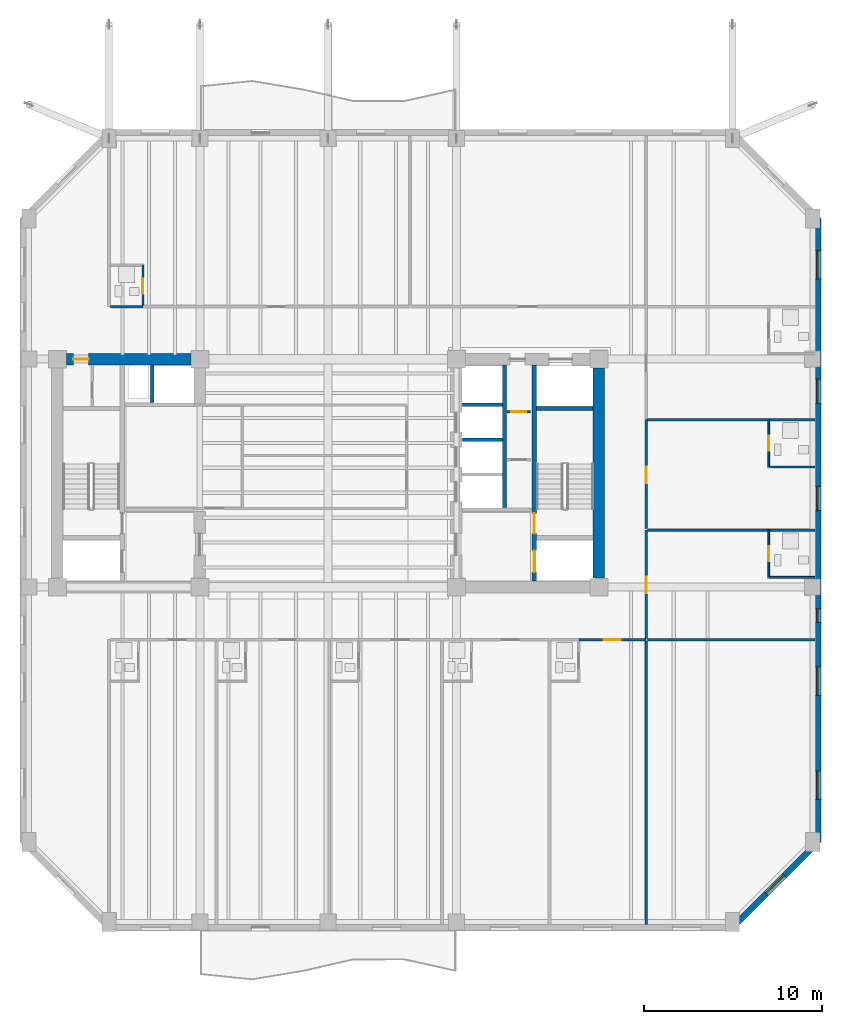
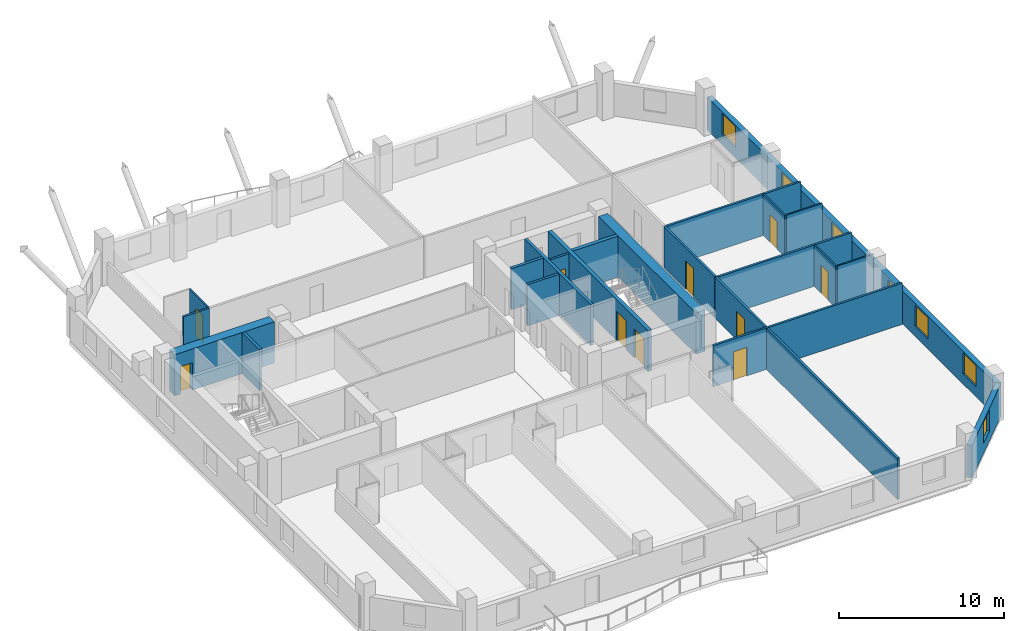
# One storey, part 7 of 12: 24 walls, 10 doors, 7 windows, 17 openings.
"""IFC4 building model written with IfcOpenShell, lengths in metres."""

from ifc_helpers import new_model, si_unit, direction, frame, frame_2d, origin, place, context, subcontext, project, spatial, rectangle, extrude, material, layer, layer_set, type_object, element, fill, save


model = new_model("IFC4")

# Units and contexts
model_context = context("Model", 3, precision=1e-05, world=origin(), true_north=direction((0.0, 1.0)))
body_context = subcontext(model_context, "Body", "Model", "MODEL_VIEW")
ifc_project = project(units=[si_unit("LENGTHUNIT", "METRE"), si_unit("AREAUNIT", "SQUARE_METRE"), si_unit("VOLUMEUNIT", "CUBIC_METRE"), si_unit("PLANEANGLEUNIT", "RADIAN"), si_unit("MASSUNIT", "GRAM", prefix="KILO")], contexts=[model_context])

# Site, building, storey
site_placement = place(None, origin())
site = spatial("IfcSite", under=ifc_project, at=site_placement, CompositionType="ELEMENT")
building_placement = place(site_placement, origin())
building = spatial("IfcBuilding", under=site, at=building_placement, Name="Kranthara Brick Stack", CompositionType="ELEMENT")
storey_placement = place(building_placement, frame((0.0, 0.0, 158.800048828125)))
storey = spatial("IfcBuildingStorey", under=building, at=storey_placement, Name="L40", CompositionType="ELEMENT", Elevation=158.800048828125)

# Wall, openings, windows
ifc_material_1 = material(Name="Kiln-fired clay brick masonry M15", Category="masonry")
ifc_layer_1 = layer(ifc_material_1, 0.35009765625)
ifc_layer_set_1 = layer_set([ifc_layer_1], Name="Kiln-fired clay brick masonry M15")
wall_type_1 = type_object("IfcWallType", Name="WL-BRK-SPND-350", PredefinedType="STANDARD", material=ifc_layer_set_1)
wall_1_placement = place(storey_placement, frame((55.5048828125, 41.5, 0.0), z_axis=(0.0, 0.0, 1.0), x_axis=(0.0, -1.0, 0.0)))
wall_1 = element("IfcWall", 1, at=wall_1_placement, inside=storey, type_object=wall_type_1, Name="L40 Exterior Brick Facade Wall EAST 1", PredefinedType="STANDARD", context=body_context, shape_type="SweptSolid", body=[
    extrude(rectangle(XDim=35.0, YDim=0.35009765625, at=frame_2d((17.5, 0.0))), origin(), (0.0, 0.0, 1.0), 2.43505859375),
])
opening_1_placement = place(wall_1_placement, frame((1.81298828125, 0.0, 0.75)))
opening_1 = element("IfcOpeningElement", 2, at=opening_1_placement, cuts=wall_1, Name="Opening WN04", PredefinedType="OPENING", context=body_context, shape_type="SweptSolid", body=[
    extrude(rectangle(XDim=1.60009765625, YDim=1.56494140625, at=frame_2d((0.800048828125, 0.782470703125))), frame((0.0, 0.18505859375, 0.0), z_axis=(0.0, -1.0, 0.0), x_axis=(1.0, 0.0, 0.0)), (0.0, 0.0, 1.0), 0.3701171875),
])
opening_2_placement = place(wall_1_placement, frame((9.02490234375, 0.0, 0.75)))
opening_2 = element("IfcOpeningElement", 3, at=opening_2_placement, cuts=wall_1, Name="Opening WN06", PredefinedType="OPENING", context=body_context, shape_type="SweptSolid", body=[
    extrude(rectangle(XDim=1.35009765625, YDim=1.56494140625, at=frame_2d((0.675048828125, 0.782470703125))), frame((0.0, 0.18505859375, 0.0), z_axis=(0.0, -1.0, 0.0), x_axis=(1.0, 0.0, 0.0)), (0.0, 0.0, 1.0), 0.3701171875),
])
opening_3_placement = place(wall_1_placement, frame((15.050048828125, 0.0, 0.75)))
opening_3 = element("IfcOpeningElement", 4, at=opening_3_placement, cuts=wall_1, Name="Opening WN06", PredefinedType="OPENING", context=body_context, shape_type="SweptSolid", body=[
    extrude(rectangle(XDim=1.35009765625, YDim=1.56494140625, at=frame_2d((0.675048828125, 0.782470703125))), frame((0.0, 0.18505859375, 0.0), z_axis=(0.0, -1.0, 0.0), x_axis=(1.0, 0.0, 0.0)), (0.0, 0.0, 1.0), 0.3701171875),
])
opening_4_placement = place(wall_1_placement, frame((25.175048828125, 0.0, 0.75)))
opening_4 = element("IfcOpeningElement", 5, at=opening_4_placement, cuts=wall_1, Name="Opening WN04", PredefinedType="OPENING", context=body_context, shape_type="SweptSolid", body=[
    extrude(rectangle(XDim=1.60009765625, YDim=1.56494140625, at=frame_2d((0.800048828125, 0.782470703125))), frame((0.0, 0.18505859375, 0.0), z_axis=(0.0, -1.0, 0.0), x_axis=(1.0, 0.0, 0.0)), (0.0, 0.0, 1.0), 0.3701171875),
])
opening_5_placement = place(wall_1_placement, frame((31.011962890625, 0.0, 0.75)))
opening_5 = element("IfcOpeningElement", 6, at=opening_5_placement, cuts=wall_1, Name="Opening WN04", PredefinedType="OPENING", context=body_context, shape_type="SweptSolid", body=[
    extrude(rectangle(XDim=1.60009765625, YDim=1.56494140625, at=frame_2d((0.800048828125, 0.782470703125))), frame((0.0, 0.18505859375, 0.0), z_axis=(0.0, -1.0, 0.0), x_axis=(1.0, 0.0, 0.0)), (0.0, 0.0, 1.0), 0.3701171875),
])
opening_6_placement = place(wall_1_placement, frame((21.925048828125, 0.0, 0.75)))
opening_6 = element("IfcOpeningElement", 7, at=opening_6_placement, cuts=wall_1, Name="Opening WN13", PredefinedType="OPENING", context=body_context, shape_type="SweptSolid", body=[
    extrude(rectangle(XDim=0.75, YDim=1.449951171875, at=frame_2d((0.375, 0.72509765625))), frame((0.0, 0.18505859375, 0.0), z_axis=(0.0, -1.0, 0.0), x_axis=(1.0, 0.0, 0.0)), (0.0, 0.0, 1.0), 0.3701171875),
])
ifc_material_2 = material(Name="Double-glazed low-E solar control glass", Category="glass")
window_type_1 = type_object("IfcWindowType", Name="WN-CAS-750x1450", PartitioningType="SINGLE_PANEL", PredefinedType="WINDOW", material=ifc_material_2)
window_1_placement = place(opening_6_placement, origin())
window_1 = element("IfcWindow", 8, at=window_1_placement, inside=storey, type_object=window_type_1, Name="L40 East Deep-Set Casement Window 06", OverallHeight=1.449951171875, OverallWidth=0.75, PartitioningType="SINGLE_PANEL", PredefinedType="WINDOW", context=body_context, shape_type="SweptSolid", body=[
    extrude(rectangle(XDim=0.75, YDim=1.449951171875, at=frame_2d((0.375, 0.72509765625))), frame((0.0, -0.010009765625, 0.0), z_axis=(0.0, -1.0, 0.0), x_axis=(1.0, 0.0, 0.0)), (0.0, 0.0, 1.0), 0.06005859375),
])
fill(opening_6, window_1)
ifc_material_3 = material(Name="Double-glazed low-E solar control glass", Category="glass")
window_type_2 = type_object("IfcWindowType", Name="WN-HTL-1350x1850", PartitioningType="SINGLE_PANEL", PredefinedType="WINDOW", material=ifc_material_3)
window_2_placement = place(opening_2_placement, origin())
window_2 = element("IfcWindow", 9, at=window_2_placement, inside=storey, type_object=window_type_2, Name="L40 East Deep-Set Brick Window 02", OverallHeight=1.56494140625, OverallWidth=1.35009765625, PartitioningType="SINGLE_PANEL", PredefinedType="WINDOW", context=body_context, shape_type="SweptSolid", body=[
    extrude(rectangle(XDim=1.35009765625, YDim=1.56494140625, at=frame_2d((0.675048828125, 0.782470703125))), frame((0.0, -0.010009765625, 0.0), z_axis=(0.0, -1.0, 0.0), x_axis=(1.0, 0.0, 0.0)), (0.0, 0.0, 1.0), 0.06005859375),
])
fill(opening_2, window_2)
window_3_placement = place(opening_3_placement, origin())
window_3 = element("IfcWindow", 10, at=window_3_placement, inside=storey, type_object=window_type_2, Name="L40 East Deep-Set Brick Window 03", OverallHeight=1.56494140625, OverallWidth=1.35009765625, PartitioningType="SINGLE_PANEL", PredefinedType="WINDOW", context=body_context, shape_type="SweptSolid", body=[
    extrude(rectangle(XDim=1.35009765625, YDim=1.56494140625, at=frame_2d((0.675048828125, 0.782470703125))), frame((0.0, -0.010009765625, 0.0), z_axis=(0.0, -1.0, 0.0), x_axis=(1.0, 0.0, 0.0)), (0.0, 0.0, 1.0), 0.06005859375),
])
fill(opening_3, window_3)
ifc_material_4 = material(Name="Double-glazed low-E solar control glass", Category="glass")
window_type_3 = type_object("IfcWindowType", Name="WN-HTL-1600x1850", PartitioningType="DOUBLE_PANEL_VERTICAL", PredefinedType="WINDOW", material=ifc_material_4)
window_4_placement = place(opening_1_placement, origin())
window_4 = element("IfcWindow", 11, at=window_4_placement, inside=storey, type_object=window_type_3, Name="L40 East Deep-Set Brick Window 01", OverallHeight=1.56494140625, OverallWidth=1.60009765625, PartitioningType="SINGLE_PANEL", PredefinedType="WINDOW", context=body_context, shape_type="SweptSolid", body=[
    extrude(rectangle(XDim=1.60009765625, YDim=1.56494140625, at=frame_2d((0.800048828125, 0.782470703125))), frame((0.0, -0.010009765625, 0.0), z_axis=(0.0, -1.0, 0.0), x_axis=(1.0, 0.0, 0.0)), (0.0, 0.0, 1.0), 0.06005859375),
])
fill(opening_1, window_4)
window_5_placement = place(opening_4_placement, origin())
window_5 = element("IfcWindow", 12, at=window_5_placement, inside=storey, type_object=window_type_3, Name="L40 East Deep-Set Brick Window 04", OverallHeight=1.56494140625, OverallWidth=1.60009765625, PartitioningType="SINGLE_PANEL", PredefinedType="WINDOW", context=body_context, shape_type="SweptSolid", body=[
    extrude(rectangle(XDim=1.60009765625, YDim=1.56494140625, at=frame_2d((0.800048828125, 0.782470703125))), frame((0.0, -0.010009765625, 0.0), z_axis=(0.0, -1.0, 0.0), x_axis=(1.0, 0.0, 0.0)), (0.0, 0.0, 1.0), 0.06005859375),
])
fill(opening_4, window_5)
window_6_placement = place(opening_5_placement, origin())
window_6 = element("IfcWindow", 13, at=window_6_placement, inside=storey, type_object=window_type_3, Name="L40 East Deep-Set Brick Window 05", OverallHeight=1.56494140625, OverallWidth=1.60009765625, PartitioningType="SINGLE_PANEL", PredefinedType="WINDOW", context=body_context, shape_type="SweptSolid", body=[
    extrude(rectangle(XDim=1.60009765625, YDim=1.56494140625, at=frame_2d((0.800048828125, 0.782470703125))), frame((0.0, -0.010009765625, 0.0), z_axis=(0.0, -1.0, 0.0), x_axis=(1.0, 0.0, 0.0)), (0.0, 0.0, 1.0), 0.06005859375),
])
fill(opening_5, window_6)

# Wall, opening, window
wall_2_placement = place(storey_placement, frame((55.5048828125, 6.5, 0.0), z_axis=(0.0, 0.0, 1.0), x_axis=(-0.707106781187, -0.707106781187, 0.0)))
wall_2 = element("IfcWall", 14, at=wall_2_placement, inside=storey, type_object=wall_type_1, Name="L40 Exterior Brick Facade Wall SE 1", PredefinedType="STANDARD", context=body_context, shape_type="SweptSolid", body=[
    extrude(rectangle(XDim=6.795166015625, YDim=0.35009765625, at=frame_2d((3.3974609375, 0.0))), origin(), (0.0, 0.0, 1.0), 2.43505859375),
])
opening_7_placement = place(wall_2_placement, frame((2.697998046875, 0.0, 0.75)))
opening_7 = element("IfcOpeningElement", 15, at=opening_7_placement, cuts=wall_2, Name="Opening WN10", PredefinedType="OPENING", context=body_context, shape_type="SweptSolid", body=[
    extrude(rectangle(XDim=1.39990234375, YDim=1.56494140625, at=frame_2d((0.699951171875, 0.782470703125))), frame((0.0, 0.18505859375, 0.0), z_axis=(0.0, -1.0, 0.0), x_axis=(1.0, 0.0, 0.0)), (0.0, 0.0, 1.0), 0.3701171875),
])
ifc_material_5 = material(Name="Double-glazed low-E solar control glass", Category="glass")
window_type_4 = type_object("IfcWindowType", Name="WN-CHM-1400x1750", PartitioningType="SINGLE_PANEL", PredefinedType="WINDOW", material=ifc_material_5)
window_7_placement = place(opening_7_placement, origin())
window_7 = element("IfcWindow", 16, at=window_7_placement, inside=storey, type_object=window_type_4, Name="L40 SE Chamfer Corner Window", OverallHeight=1.56494140625, OverallWidth=1.39990234375, PartitioningType="SINGLE_PANEL", PredefinedType="WINDOW", context=body_context, shape_type="SweptSolid", body=[
    extrude(rectangle(XDim=1.39990234375, YDim=1.56494140625, at=frame_2d((0.699951171875, 0.782470703125))), frame((0.0, -0.010009765625, 0.0), z_axis=(0.0, -1.0, 0.0), x_axis=(1.0, 0.0, 0.0)), (0.0, 0.0, 1.0), 0.06005859375),
])
fill(opening_7, window_7)

# Wall, openings, doors
ifc_material_6 = material(Name="Concrete C50/60", Category="concrete")
ifc_layer_2 = layer(ifc_material_6, 0.25)
ifc_layer_set_2 = layer_set([ifc_layer_2], Name="Concrete C50/60")
wall_type_2 = type_object("IfcWallType", Name="WL-CORE-250", PredefinedType="SHEAR", material=ifc_layer_set_2)
wall_3_placement = place(storey_placement, frame((39.56494140625, 21.135009765625, 0.0), z_axis=(0.0, 0.0, 1.0), x_axis=(0.0, 1.0, 0.0)))
wall_3 = element("IfcWall", 17, at=wall_3_placement, inside=storey, type_object=wall_type_2, Name="L40 East Core Stair Bearing Spine Wall", PredefinedType="SHEAR", context=body_context, shape_type="SweptSolid", body=[
    extrude(rectangle(XDim=12.1298828125, YDim=0.25, at=frame_2d((6.06494140625, 0.0))), origin(), (0.0, 0.0, 1.0), 3.050048828125),
])
opening_8_placement = place(wall_3_placement, frame((0.514892578125, 0.0, 0.0)))
opening_8 = element("IfcOpeningElement", 18, at=opening_8_placement, cuts=wall_3, Name="Opening LD01", PredefinedType="OPENING", context=body_context, shape_type="SweptSolid", body=[
    extrude(rectangle(XDim=1.199951171875, YDim=2.14990234375, at=frame_2d((0.60009765625, 1.074951171875))), frame((0.0, 0.135009765625, 0.0), z_axis=(0.0, -1.0, 0.0), x_axis=(1.0, 0.0, 0.0)), (0.0, 0.0, 1.0), 0.27001953125),
])
opening_9_placement = place(wall_3_placement, frame((2.6650390625, 0.0, 0.0)))
opening_9 = element("IfcOpeningElement", 19, at=opening_9_placement, cuts=wall_3, Name="Opening D05", PredefinedType="OPENING", context=body_context, shape_type="SweptSolid", body=[
    extrude(rectangle(XDim=1.14990234375, YDim=2.14990234375, at=frame_2d((0.574951171875, 1.074951171875))), frame((0.0, 0.135009765625, 0.0), z_axis=(0.0, -1.0, 0.0), x_axis=(1.0, 0.0, 0.0)), (0.0, 0.0, 1.0), 0.27001953125),
])
ifc_material_7 = material(Name="Stainless steel sliding landing door", Category="steel")
door_type_1 = type_object("IfcDoorType", Name="DR-LD-FF1200", OperationType="DOUBLE_DOOR_SLIDING", PredefinedType="DOOR", material=ifc_material_7)
door_1_placement = place(opening_8_placement, origin())
door_1 = element("IfcDoor", 20, at=door_1_placement, inside=storey, type_object=door_type_1, Name="L40 Firefighting Lift FF-02 Landing Door", OperationType="DOUBLE_DOOR_SLIDING", OverallHeight=2.14990234375, OverallWidth=1.199951171875, PredefinedType="DOOR", context=body_context, shape_type="SweptSolid", body=[
    extrude(rectangle(XDim=1.199951171875, YDim=2.14990234375, at=frame_2d((0.60009765625, 1.074951171875))), frame((0.0, 0.02490234375, 0.0), z_axis=(0.0, -1.0, 0.0), x_axis=(1.0, 0.0, 0.0)), (0.0, 0.0, 1.0), 0.050048828125),
])
fill(opening_8, door_1)
ifc_material_8 = material(Name="Solid-core hardwood timber leaf in steel frame", Category="steel")
door_type_2 = type_object("IfcDoorType", Name="DR-ST-1150", OperationType="NOTDEFINED", PredefinedType="DOOR", material=ifc_material_8)
door_2_placement = place(opening_9_placement, origin())
door_2 = element("IfcDoor", 21, at=door_2_placement, inside=storey, type_object=door_type_2, Name="L40 Exit Stair ST02 Door", OperationType="SINGLE_SWING_LEFT", OverallHeight=2.14990234375, OverallWidth=1.14990234375, PredefinedType="DOOR", context=body_context, shape_type="SweptSolid", body=[
    extrude(rectangle(XDim=1.14990234375, YDim=2.14990234375, at=frame_2d((0.574951171875, 1.074951171875))), frame((0.0, 0.02490234375, 0.0), z_axis=(0.0, -1.0, 0.0), x_axis=(1.0, 0.0, 0.0)), (0.0, 0.0, 1.0), 0.050048828125),
])
fill(opening_9, door_2)

# Wall
wall_4_placement = place(storey_placement, frame((39.68994140625, 30.830078125, 0.0), z_axis=(0.0, 0.0, 1.0), x_axis=(1.0, 0.0, 0.0)))
element("IfcWall", 22, at=wall_4_placement, inside=storey, type_object=wall_type_2, Name="L40 East Stairwell Bearing Wall EST", PredefinedType="SHEAR", context=body_context, shape_type="SweptSolid", body=[
    extrude(rectangle(XDim=3.175048828125, YDim=0.25, at=frame_2d((1.58740234375, 0.0))), origin(), (0.0, 0.0, 1.0), 3.050048828125),
])

# Wall, opening, door
ifc_material_9 = material(Name="Concrete C60/75", Category="concrete")
ifc_layer_3 = layer(ifc_material_9, 0.64990234375)
ifc_layer_set_3 = layer_set([ifc_layer_3], Name="Concrete C60/75")
wall_type_3 = type_object("IfcWallType", Name="WL-CORE-650", PredefinedType="SHEAR", material=ifc_layer_set_3)
wall_5_placement = place(storey_placement, frame((13.304931640625, 33.60009765625, 0.0), z_axis=(0.0, 0.0, 1.0), x_axis=(1.0, 0.0, 0.0)))
wall_5 = element("IfcWall", 23, at=wall_5_placement, inside=storey, type_object=wall_type_3, Name="L40 West Core Shear Wall North", PredefinedType="SHEAR", context=body_context, shape_type="SweptSolid", body=[
    extrude(rectangle(XDim=6.989990234375, YDim=0.64990234375, at=frame_2d((3.4951171875, 0.0))), origin(), (0.0, 0.0, 1.0), 3.050048828125),
])
opening_10_placement = place(wall_5_placement, frame((0.39501953125, 0.0, 0.0)))
opening_10 = element("IfcOpeningElement", 24, at=opening_10_placement, cuts=wall_5, Name="Opening D10", PredefinedType="OPENING", context=body_context, shape_type="SweptSolid", body=[
    extrude(rectangle(XDim=0.85009765625, YDim=2.02001953125, at=frame_2d((0.425048828125, 1.010009765625))), frame((0.0, 0.3349609375, 0.0), z_axis=(0.0, -1.0, 0.0), x_axis=(1.0, 0.0, 0.0)), (0.0, 0.0, 1.0), 0.669921875),
])
ifc_material_10 = material(Name="Solid-core hardwood timber leaf in steel frame", Category="steel")
door_type_3 = type_object("IfcDoorType", Name="DR-RSR-850", OperationType="NOTDEFINED", PredefinedType="DOOR", material=ifc_material_10)
door_3_placement = place(opening_10_placement, origin())
door_3 = element("IfcDoor", 25, at=door_3_placement, inside=storey, type_object=door_type_3, Name="L40 West Core Service Door 1", OperationType="SINGLE_SWING_LEFT", OverallHeight=2.02001953125, OverallWidth=0.85009765625, PredefinedType="DOOR", context=body_context, shape_type="SweptSolid", body=[
    extrude(rectangle(XDim=0.85009765625, YDim=2.02001953125, at=frame_2d((0.425048828125, 1.010009765625))), frame((0.0, 0.02490234375, 0.0), z_axis=(0.0, -1.0, 0.0), x_axis=(1.0, 0.0, 0.0)), (0.0, 0.0, 1.0), 0.050048828125),
])
fill(opening_10, door_3)

# Wall
wall_6_placement = place(storey_placement, frame((43.199951171875, 21.304931640625, 0.0), z_axis=(0.0, 0.0, 1.0), x_axis=(0.0, 1.0, 0.0)))
element("IfcWall", 26, at=wall_6_placement, inside=storey, type_object=wall_type_3, Name="L40 East Core Shear Wall East", PredefinedType="SHEAR", context=body_context, shape_type="SweptSolid", body=[
    extrude(rectangle(XDim=11.7900390625, YDim=0.64990234375, at=frame_2d((5.89501953125, 0.0))), origin(), (0.0, 0.0, 1.0), 3.050048828125),
])

# Wall, opening, door
ifc_material_11 = material(Name="Moisture-resistant wet-room partition", Category="other")
ifc_layer_4 = layer(ifc_material_11, 0.10009765625)
ifc_layer_set_4 = layer_set([ifc_layer_4], Name="Moisture-resistant wet-room partition")
wall_type_4 = type_object("IfcWallType", Name="WL-PART-100", PredefinedType="PARTITIONING", material=ifc_layer_set_4)
wall_7_placement = place(storey_placement, frame((17.60009765625, 36.6298828125, 0.0), z_axis=(0.0, 0.0, 1.0), x_axis=(0.0, 1.0, 0.0)))
wall_7 = element("IfcWall", 27, at=wall_7_placement, inside=storey, type_object=wall_type_4, Name="L40 Interior Partition 038", PredefinedType="PARTITIONING", context=body_context, shape_type="SweptSolid", body=[
    extrude(rectangle(XDim=2.25, YDim=0.10009765625, at=frame_2d((1.125, 0.0))), origin(), (0.0, 0.0, 1.0), 3.050048828125),
])
opening_11_placement = place(wall_7_placement, frame((0.639892578125, 0.0, 0.0)))
opening_11 = element("IfcOpeningElement", 28, at=opening_11_placement, cuts=wall_7, Name="Opening D17", PredefinedType="OPENING", context=body_context, shape_type="SweptSolid", body=[
    extrude(rectangle(XDim=0.85009765625, YDim=2.050048828125, at=frame_2d((0.425048828125, 1.02490234375))), frame((0.0, 0.06005859375, 0.0), z_axis=(0.0, -1.0, 0.0), x_axis=(1.0, 0.0, 0.0)), (0.0, 0.0, 1.0), 0.1201171875),
])
ifc_material_12 = material(Name="Solid-core hardwood timber leaf in steel frame", Category="steel")
door_type_4 = type_object("IfcDoorType", Name="DR-WET-850", OperationType="NOTDEFINED", PredefinedType="DOOR", material=ifc_material_12)
door_4_placement = place(opening_11_placement, origin())
door_4 = element("IfcDoor", 29, at=door_4_placement, inside=storey, type_object=door_type_4, Name="L40 Key 06 En-Suite Door 17", OperationType="SINGLE_SWING_LEFT", OverallHeight=2.050048828125, OverallWidth=0.85009765625, PredefinedType="DOOR", context=body_context, shape_type="SweptSolid", body=[
    extrude(rectangle(XDim=0.85009765625, YDim=2.050048828125, at=frame_2d((0.425048828125, 1.02490234375))), frame((0.0, 0.02490234375, 0.0), z_axis=(0.0, -1.0, 0.0), x_axis=(1.0, 0.0, 0.0)), (0.0, 0.0, 1.0), 0.050048828125),
])
fill(opening_11, door_4)

wall_8_placement = place(storey_placement, frame((52.72998046875, 21.35009765625, 0.0), z_axis=(0.0, 0.0, 1.0), x_axis=(0.0, 1.0, 0.0)))
wall_8 = element("IfcWall", 30, at=wall_8_placement, inside=storey, type_object=wall_type_4, Name="L40 Interior Partition 046", PredefinedType="PARTITIONING", context=body_context, shape_type="SweptSolid", body=[
    extrude(rectangle(XDim=2.64990234375, YDim=0.10009765625, at=frame_2d((1.324951171875, 0.0))), origin(), (0.0, 0.0, 1.0), 3.050048828125),
])
opening_12_placement = place(wall_8_placement, frame((0.905029296875, 0.0, 0.0)))
opening_12 = element("IfcOpeningElement", 31, at=opening_12_placement, cuts=wall_8, Name="Opening D17", PredefinedType="OPENING", context=body_context, shape_type="SweptSolid", body=[
    extrude(rectangle(XDim=0.85009765625, YDim=2.050048828125, at=frame_2d((0.425048828125, 1.02490234375))), frame((0.0, 0.06005859375, 0.0), z_axis=(0.0, -1.0, 0.0), x_axis=(1.0, 0.0, 0.0)), (0.0, 0.0, 1.0), 0.1201171875),
])
door_5_placement = place(opening_12_placement, origin())
door_5 = element("IfcDoor", 32, at=door_5_placement, inside=storey, type_object=door_type_4, Name="L40 East Key 8 Bath 20", OperationType="SINGLE_SWING_RIGHT", OverallHeight=2.050048828125, OverallWidth=0.85009765625, PredefinedType="DOOR", context=body_context, shape_type="SweptSolid", body=[
    extrude(rectangle(XDim=0.85009765625, YDim=2.050048828125, at=frame_2d((0.425048828125, 1.02490234375))), frame((0.0, 0.02490234375, 0.0), z_axis=(0.0, -1.0, 0.0), x_axis=(1.0, 0.0, 0.0)), (0.0, 0.0, 1.0), 0.050048828125),
])
fill(opening_12, door_5)

# Wall
wall_9_placement = place(storey_placement, frame((52.784912109375, 21.35009765625, 0.0), z_axis=(0.0, 0.0, 1.0), x_axis=(1.0, 0.0, 0.0)))
element("IfcWall", 33, at=wall_9_placement, inside=storey, type_object=wall_type_4, Name="L40 Interior Partition 047", PredefinedType="PARTITIONING", context=body_context, shape_type="SweptSolid", body=[
    extrude(rectangle(XDim=2.5400390625, YDim=0.10009765625, at=frame_2d((1.27001953125, 0.0))), origin(), (0.0, 0.0, 1.0), 3.050048828125),
])

# Wall, opening, door
wall_10_placement = place(storey_placement, frame((52.72998046875, 27.550048828125, 0.0), z_axis=(0.0, 0.0, 1.0), x_axis=(0.0, 1.0, 0.0)))
wall_10 = element("IfcWall", 34, at=wall_10_placement, inside=storey, type_object=wall_type_4, Name="L40 Interior Partition 050", PredefinedType="PARTITIONING", context=body_context, shape_type="SweptSolid", body=[
    extrude(rectangle(XDim=2.64990234375, YDim=0.10009765625, at=frame_2d((1.324951171875, 0.0))), origin(), (0.0, 0.0, 1.0), 3.050048828125),
])
opening_13_placement = place(wall_10_placement, frame((0.905029296875, 0.0, 0.0)))
opening_13 = element("IfcOpeningElement", 35, at=opening_13_placement, cuts=wall_10, Name="Opening D17", PredefinedType="OPENING", context=body_context, shape_type="SweptSolid", body=[
    extrude(rectangle(XDim=0.85009765625, YDim=2.050048828125, at=frame_2d((0.425048828125, 1.02490234375))), frame((0.0, 0.06005859375, 0.0), z_axis=(0.0, -1.0, 0.0), x_axis=(1.0, 0.0, 0.0)), (0.0, 0.0, 1.0), 0.1201171875),
])
door_6_placement = place(opening_13_placement, origin())
door_6 = element("IfcDoor", 36, at=door_6_placement, inside=storey, type_object=door_type_4, Name="L40 East Key 9 Bath 22", OperationType="SINGLE_SWING_RIGHT", OverallHeight=2.050048828125, OverallWidth=0.85009765625, PredefinedType="DOOR", context=body_context, shape_type="SweptSolid", body=[
    extrude(rectangle(XDim=0.85009765625, YDim=2.050048828125, at=frame_2d((0.425048828125, 1.02490234375))), frame((0.0, 0.02490234375, 0.0), z_axis=(0.0, -1.0, 0.0), x_axis=(1.0, 0.0, 0.0)), (0.0, 0.0, 1.0), 0.050048828125),
])
fill(opening_13, door_6)

# Wall
wall_11_placement = place(storey_placement, frame((52.784912109375, 27.550048828125, 0.0), z_axis=(0.0, 0.0, 1.0), x_axis=(1.0, 0.0, 0.0)))
element("IfcWall", 37, at=wall_11_placement, inside=storey, type_object=wall_type_4, Name="L40 Interior Partition 051", PredefinedType="PARTITIONING", context=body_context, shape_type="SweptSolid", body=[
    extrude(rectangle(XDim=2.5400390625, YDim=0.10009765625, at=frame_2d((1.27001953125, 0.0))), origin(), (0.0, 0.0, 1.0), 3.050048828125),
])

# Wall, opening, door
ifc_material_13 = material(Name="Fire-rated gypsum board partition", Category="other")
ifc_layer_5 = layer(ifc_material_13, 0.14990234375)
ifc_layer_set_5 = layer_set([ifc_layer_5], Name="Fire-rated gypsum board partition")
wall_type_5 = type_object("IfcWallType", Name="WL-PART-150", PredefinedType="PARTITIONING", material=ifc_layer_set_5)
wall_12_placement = place(storey_placement, frame((38.050048828125, 30.64990234375, 0.0), z_axis=(0.0, 0.0, 1.0), x_axis=(1.0, 0.0, 0.0)))
wall_12 = element("IfcWall", 38, at=wall_12_placement, inside=storey, type_object=wall_type_5, Name="L40 Interior Partition 003", PredefinedType="PARTITIONING", context=body_context, shape_type="SweptSolid", body=[
    extrude(rectangle(XDim=1.300048828125, YDim=0.14990234375, at=frame_2d((0.64990234375, 0.0))), origin(), (0.0, 0.0, 1.0), 3.050048828125),
])
opening_14_placement = place(wall_12_placement, frame((0.219970703125, 0.0, 0.0)))
opening_14 = element("IfcOpeningElement", 39, at=opening_14_placement, cuts=wall_12, Name="Opening D10", PredefinedType="OPENING", context=body_context, shape_type="SweptSolid", body=[
    extrude(rectangle(XDim=0.85009765625, YDim=2.02001953125, at=frame_2d((0.425048828125, 1.010009765625))), frame((0.0, 0.0849609375, 0.0), z_axis=(0.0, -1.0, 0.0), x_axis=(1.0, 0.0, 0.0)), (0.0, 0.0, 1.0), 0.169921875),
])
door_7_placement = place(opening_14_placement, origin())
door_7 = element("IfcDoor", 40, at=door_7_placement, inside=storey, type_object=door_type_3, Name="L40 Riser Door 2 03", OperationType="SINGLE_SWING_LEFT", OverallHeight=2.02001953125, OverallWidth=0.85009765625, PredefinedType="DOOR", context=body_context, shape_type="SweptSolid", body=[
    extrude(rectangle(XDim=0.85009765625, YDim=2.02001953125, at=frame_2d((0.425048828125, 1.010009765625))), frame((0.0, 0.02490234375, 0.0), z_axis=(0.0, -1.0, 0.0), x_axis=(1.0, 0.0, 0.0)), (0.0, 0.0, 1.0), 0.050048828125),
])
fill(opening_14, door_7)

wall_13_placement = place(storey_placement, frame((42.072998046875, 17.85009765625, 0.0), z_axis=(0.0, 0.0, 1.0), x_axis=(1.0, 0.0, 0.0)))
wall_13 = element("IfcWall", 41, at=wall_13_placement, inside=storey, type_object=wall_type_5, Name="L40 Interior Partition 031", PredefinedType="PARTITIONING", context=body_context, shape_type="SweptSolid", body=[
    extrude(rectangle(XDim=3.777099609375, YDim=0.14990234375, at=frame_2d((1.888671875, 0.0))), origin(), (0.0, 0.0, 1.0), 3.050048828125),
])
opening_15_placement = place(wall_13_placement, frame((1.408935546875, 0.0, 0.0)))
opening_15 = element("IfcOpeningElement", 42, at=opening_15_placement, cuts=wall_13, Name="Opening D09", PredefinedType="OPENING", context=body_context, shape_type="SweptSolid", body=[
    extrude(rectangle(XDim=0.949951171875, YDim=2.10009765625, at=frame_2d((0.47509765625, 1.050048828125))), frame((0.0, 0.0849609375, 0.0), z_axis=(0.0, -1.0, 0.0), x_axis=(1.0, 0.0, 0.0)), (0.0, 0.0, 1.0), 0.169921875),
])
ifc_material_14 = material(Name="Solid-core hardwood timber leaf in steel frame", Category="steel")
door_type_5 = type_object("IfcDoorType", Name="DR-FD-950", OperationType="NOTDEFINED", PredefinedType="DOOR", material=ifc_material_14)
door_8_placement = place(opening_15_placement, origin())
door_8 = element("IfcDoor", 43, at=door_8_placement, inside=storey, type_object=door_type_5, Name="L40 Key 05 Entry 16", OperationType="SINGLE_SWING_RIGHT", OverallHeight=2.10009765625, OverallWidth=0.949951171875, PredefinedType="DOOR", context=body_context, shape_type="SweptSolid", body=[
    extrude(rectangle(XDim=0.949951171875, YDim=2.10009765625, at=frame_2d((0.47509765625, 1.050048828125))), frame((0.0, 0.02490234375, 0.0), z_axis=(0.0, -1.0, 0.0), x_axis=(1.0, 0.0, 0.0)), (0.0, 0.0, 1.0), 0.050048828125),
])
fill(opening_15, door_8)

# Walls
wall_14_placement = place(storey_placement, frame((45.85009765625, 1.875, 0.0), z_axis=(0.0, 0.0, 1.0), x_axis=(0.0, 1.0, 0.0)))
element("IfcWall", 44, at=wall_14_placement, inside=storey, type_object=wall_type_5, Name="L40 Interior Partition 034", PredefinedType="PARTITIONING", context=body_context, shape_type="SweptSolid", body=[
    extrude(rectangle(XDim=15.89501953125, YDim=0.14990234375, at=frame_2d((7.947509765625, 0.0))), origin(), (0.0, 0.0, 1.0), 3.050048828125),
])
wall_15_placement = place(storey_placement, frame((15.780029296875, 36.550048828125, 0.0), z_axis=(0.0, 0.0, 1.0), x_axis=(1.0, 0.0, 0.0)))
element("IfcWall", 45, at=wall_15_placement, inside=storey, type_object=wall_type_5, Name="L40 Interior Partition 036", PredefinedType="PARTITIONING", context=body_context, shape_type="SweptSolid", body=[
    extrude(rectangle(XDim=1.820068359375, YDim=0.14990234375, at=frame_2d((0.91015625, 0.0))), origin(), (0.0, 0.0, 1.0), 3.050048828125),
])
wall_16_placement = place(storey_placement, frame((45.929931640625, 17.85009765625, 0.0), z_axis=(0.0, 0.0, 1.0), x_axis=(1.0, 0.0, 0.0)))
element("IfcWall", 46, at=wall_16_placement, inside=storey, type_object=wall_type_5, Name="L40 Interior Partition 043", PredefinedType="PARTITIONING", context=body_context, shape_type="SweptSolid", body=[
    extrude(rectangle(XDim=9.39501953125, YDim=0.14990234375, at=frame_2d((4.697509765625, 0.0))), origin(), (0.0, 0.0, 1.0), 3.050048828125),
])

# Wall, opening, door
wall_17_placement = place(storey_placement, frame((45.85009765625, 17.929931640625, 0.0), z_axis=(0.0, 0.0, 1.0), x_axis=(0.0, 1.0, 0.0)))
wall_17 = element("IfcWall", 47, at=wall_17_placement, inside=storey, type_object=wall_type_5, Name="L40 Interior Partition 045", PredefinedType="PARTITIONING", context=body_context, shape_type="SweptSolid", body=[
    extrude(rectangle(XDim=6.070068359375, YDim=0.14990234375, at=frame_2d((3.03515625, 0.0))), origin(), (0.0, 0.0, 1.0), 3.050048828125),
])
opening_16_placement = place(wall_17_placement, frame((2.514892578125, 0.0, 0.0)))
opening_16 = element("IfcOpeningElement", 48, at=opening_16_placement, cuts=wall_17, Name="Opening D09", PredefinedType="OPENING", context=body_context, shape_type="SweptSolid", body=[
    extrude(rectangle(XDim=0.949951171875, YDim=2.10009765625, at=frame_2d((0.47509765625, 1.050048828125))), frame((0.0, 0.0849609375, 0.0), z_axis=(0.0, -1.0, 0.0), x_axis=(1.0, 0.0, 0.0)), (0.0, 0.0, 1.0), 0.169921875),
])
door_9_placement = place(opening_16_placement, origin())
door_9 = element("IfcDoor", 49, at=door_9_placement, inside=storey, type_object=door_type_5, Name="L40 East Key 8 21", OperationType="SINGLE_SWING_LEFT", OverallHeight=2.10009765625, OverallWidth=0.949951171875, PredefinedType="DOOR", context=body_context, shape_type="SweptSolid", body=[
    extrude(rectangle(XDim=0.949951171875, YDim=2.10009765625, at=frame_2d((0.47509765625, 1.050048828125))), frame((0.0, 0.02490234375, 0.0), z_axis=(0.0, -1.0, 0.0), x_axis=(1.0, 0.0, 0.0)), (0.0, 0.0, 1.0), 0.050048828125),
])
fill(opening_16, door_9)

# Wall
wall_18_placement = place(storey_placement, frame((45.929931640625, 24.0, 0.0), z_axis=(0.0, 0.0, 1.0), x_axis=(1.0, 0.0, 0.0)))
element("IfcWall", 50, at=wall_18_placement, inside=storey, type_object=wall_type_5, Name="L40 Interior Partition 048", PredefinedType="PARTITIONING", context=body_context, shape_type="SweptSolid", body=[
    extrude(rectangle(XDim=9.39501953125, YDim=0.14990234375, at=frame_2d((4.697509765625, 0.0))), origin(), (0.0, 0.0, 1.0), 3.050048828125),
])

# Wall, opening, door
wall_19_placement = place(storey_placement, frame((45.85009765625, 24.080078125, 0.0), z_axis=(0.0, 0.0, 1.0), x_axis=(0.0, 1.0, 0.0)))
wall_19 = element("IfcWall", 51, at=wall_19_placement, inside=storey, type_object=wall_type_5, Name="L40 Interior Partition 049", PredefinedType="PARTITIONING", context=body_context, shape_type="SweptSolid", body=[
    extrude(rectangle(XDim=6.119873046875, YDim=0.14990234375, at=frame_2d((3.06005859375, 0.0))), origin(), (0.0, 0.0, 1.0), 3.050048828125),
])
opening_17_placement = place(wall_19_placement, frame((2.5400390625, 0.0, 0.0)))
opening_17 = element("IfcOpeningElement", 52, at=opening_17_placement, cuts=wall_19, Name="Opening D09", PredefinedType="OPENING", context=body_context, shape_type="SweptSolid", body=[
    extrude(rectangle(XDim=0.949951171875, YDim=2.10009765625, at=frame_2d((0.47509765625, 1.050048828125))), frame((0.0, 0.0849609375, 0.0), z_axis=(0.0, -1.0, 0.0), x_axis=(1.0, 0.0, 0.0)), (0.0, 0.0, 1.0), 0.169921875),
])
door_10_placement = place(opening_17_placement, origin())
door_10 = element("IfcDoor", 53, at=door_10_placement, inside=storey, type_object=door_type_5, Name="L40 East Key 9 23", OperationType="SINGLE_SWING_LEFT", OverallHeight=2.10009765625, OverallWidth=0.949951171875, PredefinedType="DOOR", context=body_context, shape_type="SweptSolid", body=[
    extrude(rectangle(XDim=0.949951171875, YDim=2.10009765625, at=frame_2d((0.47509765625, 1.050048828125))), frame((0.0, 0.02490234375, 0.0), z_axis=(0.0, -1.0, 0.0), x_axis=(1.0, 0.0, 0.0)), (0.0, 0.0, 1.0), 0.050048828125),
])
fill(opening_17, door_10)

# Walls
wall_20_placement = place(storey_placement, frame((45.929931640625, 30.199951171875, 0.0), z_axis=(0.0, 0.0, 1.0), x_axis=(1.0, 0.0, 0.0)))
element("IfcWall", 54, at=wall_20_placement, inside=storey, type_object=wall_type_5, Name="L40 Interior Partition 052", PredefinedType="PARTITIONING", context=body_context, shape_type="SweptSolid", body=[
    extrude(rectangle(XDim=9.39501953125, YDim=0.14990234375, at=frame_2d((4.697509765625, 0.0))), origin(), (0.0, 0.0, 1.0), 3.050048828125),
])
ifc_material_15 = material(Name="Gypsum plasterboard on acoustic twin stud", Category="other")
ifc_layer_6 = layer(ifc_material_15, 0.179931640625)
ifc_layer_set_6 = layer_set([ifc_layer_6], Name="Gypsum plasterboard on acoustic twin stud")
wall_type_6 = type_object("IfcWallType", Name="WL-PART-180", PredefinedType="PARTITIONING", material=ifc_layer_set_6)
wall_21_placement = place(storey_placement, frame((18.1201171875, 31.169921875, 0.0), z_axis=(0.0, 0.0, 1.0), x_axis=(0.0, 1.0, 0.0)))
element("IfcWall", 55, at=wall_21_placement, inside=storey, type_object=wall_type_6, Name="L40 PL-07 Shaft Back Wall", PredefinedType="PARTITIONING", context=body_context, shape_type="SweptSolid", body=[
    extrude(rectangle(XDim=2.094970703125, YDim=0.179931640625, at=frame_2d((1.04736328125, 0.0))), origin(), (0.0, 0.0, 1.0), 3.050048828125),
])
wall_22_placement = place(storey_placement, frame((35.534912109375, 29.080078125, 0.0), z_axis=(0.0, 0.0, 1.0), x_axis=(1.0, 0.0, 0.0)))
element("IfcWall", 56, at=wall_22_placement, inside=storey, type_object=wall_type_6, Name="L40 East Hoistway Wall EH2", PredefinedType="PARTITIONING", context=body_context, shape_type="SweptSolid", body=[
    extrude(rectangle(XDim=2.2451171875, YDim=0.179931640625, at=frame_2d((1.12255859375, 0.0))), origin(), (0.0, 0.0, 1.0), 3.050048828125),
])
ifc_material_16 = material(Name="Concrete C40/50", Category="concrete")
ifc_layer_7 = layer(ifc_material_16, 0.199951171875)
ifc_layer_set_7 = layer_set([ifc_layer_7], Name="Concrete C40/50")
wall_type_7 = type_object("IfcWallType", Name="WL-PART-200", PredefinedType="SOLIDWALL", material=ifc_layer_set_7)
wall_23_placement = place(storey_placement, frame((35.550048828125, 31.050048828125, 0.0), z_axis=(0.0, 0.0, 1.0), x_axis=(1.0, 0.0, 0.0)))
element("IfcWall", 57, at=wall_23_placement, inside=storey, type_object=wall_type_7, Name="L40 East Core Cross Wall EE4", PredefinedType="SOLIDWALL", context=body_context, shape_type="SweptSolid", body=[
    extrude(rectangle(XDim=2.25, YDim=0.199951171875, at=frame_2d((1.125, 0.0))), origin(), (0.0, 0.0, 1.0), 3.050048828125),
])
wall_24_placement = place(storey_placement, frame((37.89990234375, 25.27001953125, 0.0), z_axis=(0.0, 0.0, 1.0), x_axis=(0.0, 1.0, 0.0)))
element("IfcWall", 58, at=wall_24_placement, inside=storey, type_object=wall_type_7, Name="L40 East Core Cross Wall ESV", PredefinedType="SOLIDWALL", context=body_context, shape_type="SweptSolid", body=[
    extrude(rectangle(XDim=7.994873046875, YDim=0.199951171875, at=frame_2d((3.99755859375, 0.0))), origin(), (0.0, 0.0, 1.0), 3.050048828125),
])

save(model, "model.ifc")
